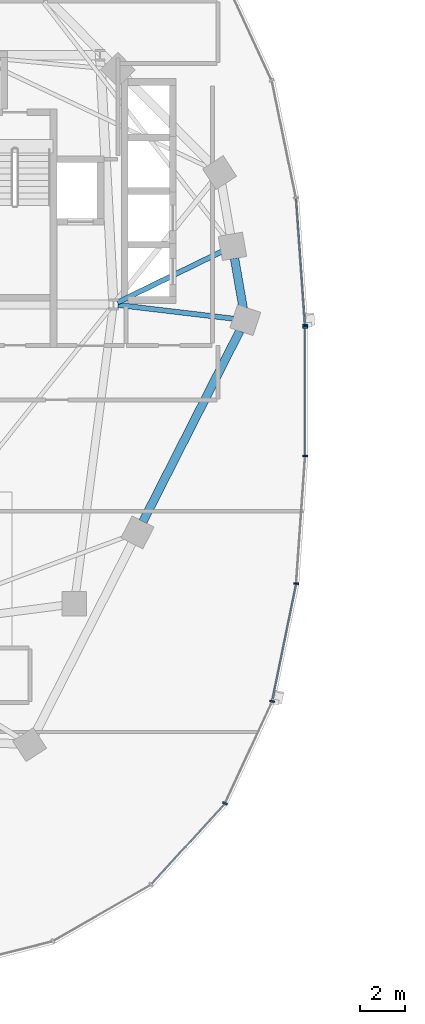
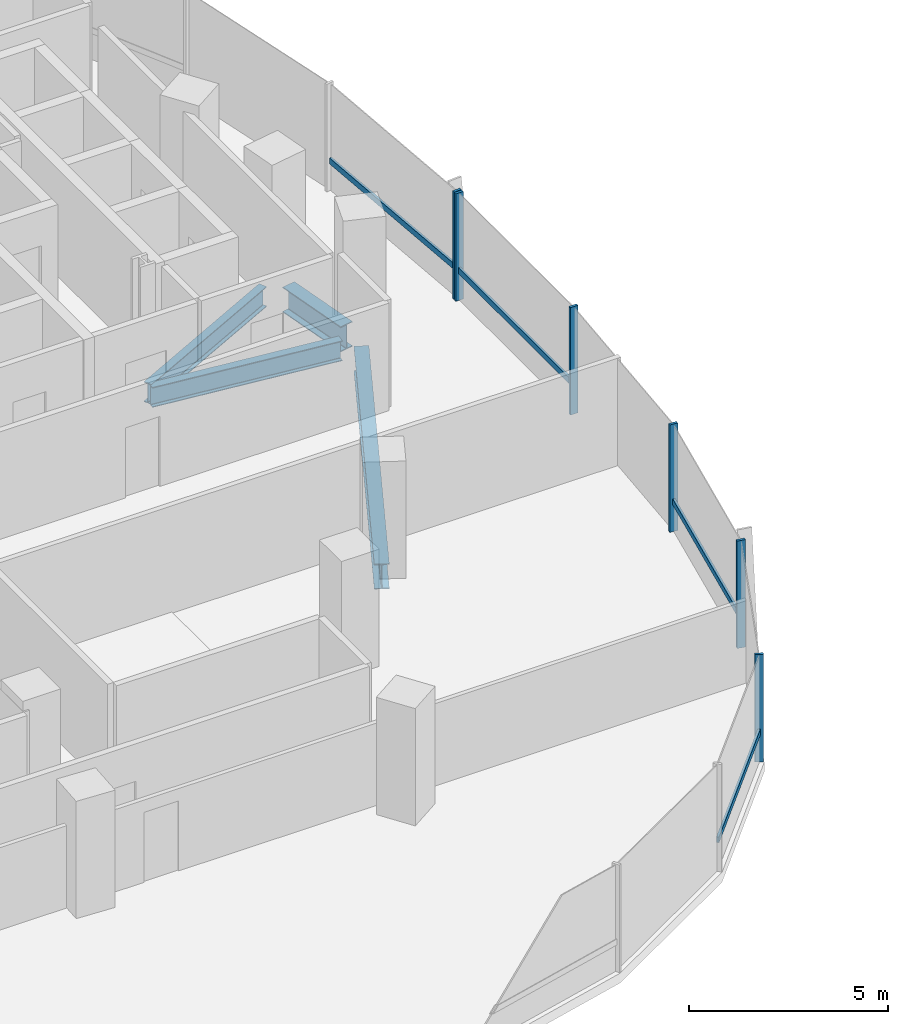
# One storey, part 3 of 21: 10 members, 4 beams, 2 elements without a shape of their own.
"""IFC4 building model written with IfcOpenShell, lengths in metres."""

import ifcopenshell
import ifcopenshell.guid

model = None  # the IFC model being written
_history = None  # IfcOwnerHistory: only IFC2X3 demands one
_inside = {}  # id of a spatial element -> (the spatial element, [elements in it])
_under = {}  # id of a project, library or spatial element -> (it, [spatial elements below it])
_declared = {}  # id of a project -> (the project, [libraries it declares])
_typed = {}  # id of a type object -> (the type object, [elements of that type])
_made_of = {}  # id of a material, layer set ... -> (it, [elements and type objects made of it])


def new_model(schema):
    """Start an empty IFC model of exactly this schema.

    Asked for "IFC4X3", IfcOpenShell would pick the latest addendum, in which some entities
    have other attributes; the version numbers below select the first issue.
    IFC2X3 requires an IfcOwnerHistory on every rooted entity: one is made here for all.
    """
    global model, _history
    if schema == "IFC4X3":
        model = ifcopenshell.file(schema_version=(4, 3, 0, 0))
    else:
        model = ifcopenshell.file(schema=schema)
    _inside.clear()
    _under.clear()
    _declared.clear()
    _typed.clear()
    _made_of.clear()
    _history = None
    if model.schema == "IFC2X3":
        org = make("IfcOrganization", Name="unknown")
        user = make(
            "IfcPersonAndOrganization",
            ThePerson=make("IfcPerson", FamilyName="unknown"),
            TheOrganization=org,
        )
        app = make(
            "IfcApplication",
            ApplicationDeveloper=org,
            Version="unknown",
            ApplicationFullName="unknown",
            ApplicationIdentifier="unknown",
        )
        _history = make(
            "IfcOwnerHistory",
            OwningUser=user,
            OwningApplication=app,
            ChangeAction="ADDED",
            CreationDate=0,
        )
    return model


def make(cls, **values):
    """One entity of the class cls with the attributes given. An attribute that is None is left unset."""
    return model.create_entity(
        cls, **{name: value for name, value in values.items() if value is not None}
    )


def rooted(cls, **values):
    """An entity with a GlobalId (a new one), such as an element, a storey or a relation."""
    return make(cls, GlobalId=ifcopenshell.guid.new(), OwnerHistory=_history, **values)


def si_unit(unit_type, name, prefix=None):
    """IfcSIUnit, for example si_unit("LENGTHUNIT", "METRE", prefix="MILLI")."""
    return make("IfcSIUnit", UnitType=unit_type, Prefix=prefix, Name=name)


def assignment(units):
    """IfcUnitAssignment: the units of a project."""
    return None if units is None else make("IfcUnitAssignment", Units=units)


def point(xyz):
    """IfcCartesianPoint."""
    return None if xyz is None else make("IfcCartesianPoint", Coordinates=xyz)


def direction(xyz):
    """IfcDirection."""
    return None if xyz is None else make("IfcDirection", DirectionRatios=xyz)


def frame(location, z_axis=None, x_axis=None):
    """IfcAxis2Placement3D, a coordinate frame: its origin and axes. An axis left out is left unset."""
    return make(
        "IfcAxis2Placement3D",
        Location=point(location),
        Axis=direction(z_axis),
        RefDirection=direction(x_axis),
    )


def frame_2d(location, x_axis=None):
    """IfcAxis2Placement2D, a coordinate frame in the plane: its origin and x axis."""
    return make(
        "IfcAxis2Placement2D", Location=point(location), RefDirection=direction(x_axis)
    )


def origin():
    """The frame at (0, 0, 0) with its axes left unset."""
    return frame((0.0, 0.0, 0.0))


def origin_2d():
    """The frame at (0, 0) in the plane with its x axis left unset."""
    return frame_2d((0.0, 0.0))


def place(relative_to, where):
    """IfcLocalPlacement: puts the frame where relative to a parent placement (None: the world)."""
    return make(
        "IfcLocalPlacement", PlacementRelTo=relative_to, RelativePlacement=where
    )


def context(
    kind, dimensions, precision=None, world=None, true_north=None, identifier=None
):
    """IfcGeometricRepresentationContext, for example the 3D "Model" context."""
    return make(
        "IfcGeometricRepresentationContext",
        ContextIdentifier=identifier,
        ContextType=kind,
        CoordinateSpaceDimension=dimensions,
        Precision=precision,
        WorldCoordinateSystem=world,
        TrueNorth=true_north,
    )


def subcontext(parent, identifier, kind, view, scale=None):
    """IfcGeometricRepresentationSubContext, for example "Body" below "Model"."""
    return make(
        "IfcGeometricRepresentationSubContext",
        ContextIdentifier=identifier,
        ContextType=kind,
        ParentContext=parent,
        TargetScale=scale,
        TargetView=view,
    )


def project(units=None, contexts=None):
    """IfcProject with its units and contexts."""
    return rooted(
        "IfcProject",
        Name="project",
        RepresentationContexts=contexts,
        UnitsInContext=assignment(units),
    )


def spatial(cls, under=None, at=None, **own):
    """A site, building, storey or space (cls), placed at a placement, below another one or the project."""
    s = rooted(cls, ObjectPlacement=at, **own)
    if under is not None:
        _under.setdefault(under.id(), (under, []))[1].append(s)
    return s


def profile(cls, at=None, kind="AREA", **sizes):
    """A parametric profile (cls). Its sizes go by their IFC names, for example OverallWidth=200.0."""
    return make(cls, ProfileType=kind, Position=at, **sizes)


def rectangle(**sizes):
    """IfcRectangleProfileDef."""
    return profile("IfcRectangleProfileDef", **sizes)


def i_section(**sizes):
    """IfcIShapeProfileDef."""
    return profile("IfcIShapeProfileDef", **sizes)


def extrude(swept, where, along, depth):
    """IfcExtrudedAreaSolid: the profile swept, set in the frame where, extruded along a direction by depth."""
    return make(
        "IfcExtrudedAreaSolid",
        SweptArea=swept,
        Position=where,
        ExtrudedDirection=direction(along),
        Depth=depth,
    )


def shape(context_of_items, identifier, shape_type, items):
    """IfcShapeRepresentation: the items that make up one representation, for example the "Body"."""
    return make(
        "IfcShapeRepresentation",
        ContextOfItems=context_of_items,
        RepresentationIdentifier=identifier,
        RepresentationType=shape_type,
        Items=items,
    )


def material(Name=None, Category=None):
    """IfcMaterial."""
    return make("IfcMaterial", Name=Name, Category=Category)


def material_profile(
    of_material, cross_section, Name=None, Category=None, Priority=None
):
    """IfcMaterialProfile: a cross section and its material."""
    return make(
        "IfcMaterialProfile",
        Name=Name,
        Material=of_material,
        Profile=cross_section,
        Priority=Priority,
        Category=Category,
    )


def profile_set(profiles, Name=None, composite=None):
    """IfcMaterialProfileSet."""
    return make(
        "IfcMaterialProfileSet",
        Name=Name,
        MaterialProfiles=profiles,
        CompositeProfile=composite,
    )


def made_of(thing, what):
    """Note that an element or type object is made of a material, layer set ...; save() writes the relation."""
    if what is not None:
        _made_of.setdefault(what.id(), (what, []))[1].append(thing)
    return thing


def type_object(cls, material=None, **own):
    """A type object (cls), such as IfcWallType, which elements share."""
    return made_of(rooted(cls, **own), material)


def element(
    cls,
    number,
    at=None,
    inside=None,
    cuts=None,
    type_object=None,
    material=None,
    context=None,
    identifier="Body",
    shape_type=None,
    held_by="IfcProductDefinitionShape",
    body=None,
    shapes=None,
    **own,
):
    """One element of the class cls, such as IfcWall. Its Tag is "e" and its number.

    at: its placement. inside: the storey or other place that contains it. cuts: it is an
    opening in that element (IfcRelVoidsElement). A single representation is given by context,
    identifier, shape_type and body (its items); several are given by shapes. held_by: the class
    of the entity that holds the representations. save() writes the other relations.
    """
    e = rooted(cls, Tag="e%d" % number, ObjectPlacement=at, **own)
    if body is not None:
        shapes = [shape(context, identifier, shape_type, body)]
    if shapes is not None:
        e.Representation = make(held_by, Representations=shapes)
    if inside is not None:
        _inside.setdefault(inside.id(), (inside, []))[1].append(e)
    if cuts is not None:
        rooted(
            "IfcRelVoidsElement", RelatingBuildingElement=cuts, RelatedOpeningElement=e
        )
    if type_object is not None:
        _typed.setdefault(type_object.id(), (type_object, []))[1].append(e)
    return made_of(e, material)


def aggregate(whole, parts):
    """IfcRelAggregates: a whole, such as a stair, and the parts it consists of."""
    return rooted("IfcRelAggregates", RelatingObject=whole, RelatedObjects=parts)


def save(model, path):
    """Write the relations noted so far, then the file.

    IfcRelAggregates (storeys below a building ...), IfcRelContainedInSpatialStructure (elements
    in a storey), IfcRelDefinesByType, IfcRelAssociatesMaterial and IfcRelDeclares: one each for
    every whole, place, type object, material and project.
    """
    for whole, parts in _under.values():
        aggregate(whole, parts)
    for where, things in _inside.values():
        rooted(
            "IfcRelContainedInSpatialStructure",
            RelatedElements=things,
            RelatingStructure=where,
        )
    for kind, things in _typed.values():
        rooted("IfcRelDefinesByType", RelatedObjects=things, RelatingType=kind)
    for what, things in _made_of.values():
        rooted("IfcRelAssociatesMaterial", RelatedObjects=things, RelatingMaterial=what)
    for by, libraries in _declared.values():
        rooted("IfcRelDeclares", RelatingContext=by, RelatedDefinitions=libraries)
    model.write(path)


model = new_model("IFC4")

# Units and contexts
model_context = context("Model", 3, precision=1e-05, world=origin(), true_north=direction((0.0, 1.0)))
body_context = subcontext(model_context, "Body", "Model", "MODEL_VIEW")
ifc_project = project(units=[si_unit("LENGTHUNIT", "METRE"), si_unit("AREAUNIT", "SQUARE_METRE"), si_unit("VOLUMEUNIT", "CUBIC_METRE"), si_unit("PLANEANGLEUNIT", "RADIAN"), si_unit("MASSUNIT", "GRAM", prefix="KILO"), si_unit("THERMODYNAMICTEMPERATUREUNIT", "KELVIN"), si_unit("POWERUNIT", "WATT")], contexts=[model_context])

# Site, building, storey
site_placement = place(None, origin())
site = spatial("IfcSite", under=ifc_project, at=site_placement, CompositionType="ELEMENT")
building_placement = place(site_placement, origin())
building = spatial("IfcBuilding", under=site, at=building_placement, Name="Cundina Bronze Exchange", CompositionType="ELEMENT")
storey_placement = place(building_placement, frame((0.0, 0.0, 114.199951171875)))
storey = spatial("IfcBuildingStorey", under=building, at=storey_placement, Name="L29", CompositionType="ELEMENT", Elevation=114.199951171875)

# Beams
ifc_material_1 = material(Name="Steel ASTM A992 Grade 50", Category="steel")
ifc_material_profile_1 = material_profile(ifc_material_1, i_section(OverallWidth=0.22998046875, OverallDepth=0.616943359375, WebThickness=0.01318359375, FlangeThickness=0.022216796875, FilletRadius=0.013916015625, at=origin_2d()), Name="W24X94", Category="steel")
ifc_profile_set_1 = profile_set([ifc_material_profile_1], Name="Steel ASTM A992 Grade 50")
beam_type_1 = type_object("IfcBeamType", Name="BM-FLR-W24B", PredefinedType="BEAM", material=ifc_profile_set_1)
beam_1_placement = place(storey_placement, frame((-21.247314453125, 3.8759765625, -0.6083984375), z_axis=(0.993035701683, -0.117813815752, 0.0), x_axis=(0.117813815752, 0.993035701683, 0.0)))
element("IfcBeam", 1, at=beam_1_placement, inside=storey, type_object=beam_type_1, Name="L29 Leg W Radial Floor Beam 00", PredefinedType="BEAM", context=body_context, shape_type="SweptSolid", body=[
    extrude(i_section(OverallWidth=0.22998046875, OverallDepth=0.616943359375, WebThickness=0.01318359375, FlangeThickness=0.022216796875, FilletRadius=0.013916015625, at=origin_2d()), origin(), (0.0, 0.0, 1.0), 5.19921875),
])
beam_2_placement = place(storey_placement, frame((-21.2666015625, 3.989501953125, -0.6083984375), z_axis=(0.898607246385, 0.438753936443, 0.0), x_axis=(-0.438753936443, 0.898607246385, 0.0)))
element("IfcBeam", 2, at=beam_2_placement, inside=storey, type_object=beam_type_1, Name="L29 Leg W Radial Floor Beam 01", PredefinedType="BEAM", context=body_context, shape_type="SweptSolid", body=[
    extrude(i_section(OverallWidth=0.22998046875, OverallDepth=0.616943359375, WebThickness=0.01318359375, FlangeThickness=0.022216796875, FilletRadius=0.013916015625, at=origin_2d()), origin(), (0.0, 0.0, 1.0), 5.183837890625),
])
ifc_material_profile_2 = material_profile(ifc_material_1, i_section(OverallWidth=0.381103515625, OverallDepth=0.77294921875, WebThickness=0.0166015625, FlangeThickness=0.027099609375, FilletRadius=0.01904296875, at=origin_2d()), Name="W30X173", Category="steel")
ifc_profile_set_2 = profile_set([ifc_material_profile_2], Name="Steel ASTM A992 Grade 50")
beam_type_2 = type_object("IfcBeamType", Name="BM-RING-W30", PredefinedType="USERDEFINED", material=ifc_profile_set_2)
beam_3_placement = place(storey_placement, frame((-15.642333984375, 3.72998046875, -0.6865234375), z_axis=(-0.171690078326, 0.985151012284, 0.0), x_axis=(-0.985151012284, -0.171690078326, 0.0)))
element("IfcBeam", 3, at=beam_3_placement, inside=storey, type_object=beam_type_2, Name="L29 W Perimeter Ring Girder 00", ObjectType="GIRDER", PredefinedType="USERDEFINED", context=body_context, shape_type="SweptSolid", body=[
    extrude(i_section(OverallWidth=0.381103515625, OverallDepth=0.77294921875, WebThickness=0.0166015625, FlangeThickness=0.027099609375, FilletRadius=0.01904296875, at=origin_2d()), origin(), (0.0, 0.0, 1.0), 2.273681640625),
])
beam_4_placement = place(storey_placement, frame((-20.13134765625, -5.8203125, -0.6865234375), z_axis=(0.452832332744, 0.891595692241, 0.0), x_axis=(-0.891595692241, 0.452832332744, 0.0)))
element("IfcBeam", 4, at=beam_4_placement, inside=storey, type_object=beam_type_2, Name="L29 W Perimeter Ring Girder 13", ObjectType="GIRDER", PredefinedType="USERDEFINED", context=body_context, shape_type="SweptSolid", body=[
    extrude(i_section(OverallWidth=0.381103515625, OverallDepth=0.77294921875, WebThickness=0.0166015625, FlangeThickness=0.027099609375, FilletRadius=0.01904296875, at=origin_2d()), origin(), (0.0, 0.0, 1.0), 9.578857421875),
])

# Curtain wall, member
ifc_material_2 = material(Name="Anodised Bronze Aluminium 6063-T6", Category="aluminium")
curtain_wall_type = type_object("IfcCurtainWallType", Name="CWS-TRD-MID", PredefinedType="NOTDEFINED", material=ifc_material_2)
curtain_wall_1_placement = place(storey_placement, origin())
curtain_wall_1 = element("IfcCurtainWall", 5, at=curtain_wall_1_placement, inside=storey, type_object=curtain_wall_type, Name="L29 CW-03 Curtain Wall Run CWR-L29-W1", PredefinedType="NOTDEFINED")
ifc_material_profile_3 = material_profile(ifc_material_2, rectangle(XDim=0.074951171875, YDim=0.219970703125, at=origin_2d()), Name="AL75X220", Category="aluminium")
ifc_profile_set_3 = profile_set([ifc_material_profile_3], Name="Anodised Bronze Aluminium 6063-T6")
member_type_1 = type_object("IfcMemberType", Name="CWM-MUL-220", PredefinedType="MULLION", material=ifc_profile_set_3)
member_1_placement = place(storey_placement, frame((-12.87548828125, 2.976318359375, 0.0), z_axis=(0.0, 0.0, 1.0), x_axis=(-0.070278787473, 0.997527389113, 0.0)))
member_1 = element("IfcMember", 6, at=member_1_placement, type_object=member_type_1, Name="CW-03 Mullion 1", PredefinedType="MULLION", context=body_context, shape_type="SweptSolid", body=[
    extrude(rectangle(XDim=0.074951171875, YDim=0.219970703125, at=origin_2d()), origin(), (0.0, 0.0, 1.0), 3.300048828125),
])

# Curtain wall, members
curtain_wall_2_placement = place(storey_placement, origin())
curtain_wall_2 = element("IfcCurtainWall", 7, at=curtain_wall_2_placement, inside=storey, type_object=curtain_wall_type, Name="L29 CW-03 Curtain Wall Run CWR-L29-W4", PredefinedType="NOTDEFINED")
member_2_placement = place(storey_placement, frame((-16.455810546875, -18.423583984375, 0.0), z_axis=(0.0, 0.0, 1.0), x_axis=(0.42087749791, 0.907117485088, 0.0)))
member_2 = element("IfcMember", 8, at=member_2_placement, type_object=member_type_1, Name="CW-03 Mullion 4", PredefinedType="MULLION", context=body_context, shape_type="SweptSolid", body=[
    extrude(rectangle(XDim=0.074951171875, YDim=0.219970703125, at=origin_2d()), origin(), (0.0, 0.0, 1.0), 3.300048828125),
])
member_3_placement = place(storey_placement, frame((-14.348876953125, -13.861328125, 0.0), z_axis=(0.0, 0.0, 1.0), x_axis=(0.201419845156, 0.979505000486, 0.0)))
member_3 = element("IfcMember", 9, at=member_3_placement, type_object=member_type_1, Name="CW-03 Mullion 5", PredefinedType="MULLION", context=body_context, shape_type="SweptSolid", body=[
    extrude(rectangle(XDim=0.074951171875, YDim=0.219970703125, at=origin_2d()), origin(), (0.0, 0.0, 1.0), 3.300048828125),
])
member_4_placement = place(storey_placement, frame((-13.27099609375, -8.591552734375, 0.0), z_axis=(0.0, 0.0, 1.0), x_axis=(0.070278787473, 0.997527389113, 0.0)))
member_4 = element("IfcMember", 10, at=member_4_placement, type_object=member_type_1, Name="CW-03 Mullion 6", PredefinedType="MULLION", context=body_context, shape_type="SweptSolid", body=[
    extrude(rectangle(XDim=0.074951171875, YDim=0.219970703125, at=origin_2d()), origin(), (0.0, 0.0, 1.0), 3.300048828125),
])
member_5_placement = place(storey_placement, frame((-12.8720703125, -2.880615234375, 0.0), z_axis=(0.0, 0.0, 1.0), x_axis=(0.0, 1.0, 0.0)))
member_5 = element("IfcMember", 11, at=member_5_placement, type_object=member_type_1, Name="CW-03 Mullion 7", PredefinedType="MULLION", context=body_context, shape_type="SweptSolid", body=[
    extrude(rectangle(XDim=0.074951171875, YDim=0.219970703125, at=origin_2d()), origin(), (0.0, 0.0, 1.0), 3.300048828125),
])
member_6_placement = place(storey_placement, frame((-12.8720703125, 2.880615234375, 0.0), z_axis=(0.0, 0.0, 1.0), x_axis=(0.0, 1.0, 0.0)))
member_6 = element("IfcMember", 12, at=member_6_placement, type_object=member_type_1, Name="CW-03 End Mullion", PredefinedType="MULLION", context=body_context, shape_type="SweptSolid", body=[
    extrude(rectangle(XDim=0.074951171875, YDim=0.219970703125, at=origin_2d()), origin(), (0.0, 0.0, 1.0), 3.300048828125),
])

# Member
ifc_material_profile_4 = material_profile(ifc_material_2, rectangle(XDim=0.070068359375, YDim=0.179931640625, at=origin_2d()), Name="AL70X180", Category="aluminium")
ifc_profile_set_4 = profile_set([ifc_material_profile_4], Name="Anodised Bronze Aluminium 6063-T6")
member_type_2 = type_object("IfcMemberType", Name="CWM-TRN-180", PredefinedType="USERDEFINED", material=ifc_profile_set_4)
member_7_placement = place(storey_placement, frame((-12.87841796875, 3.017333984375, 0.920166015625), z_axis=(-0.070260714471, 0.997528662246, 0.0), x_axis=(-0.997528662246, -0.070260714471, 0.0)))
member_7 = element("IfcMember", 13, at=member_7_placement, type_object=member_type_2, Name="CW-03 Spandrel Transom 1", ObjectType="TRANSOM", PredefinedType="USERDEFINED", context=body_context, shape_type="SweptSolid", body=[
    extrude(rectangle(XDim=0.070068359375, YDim=0.179931640625, at=origin_2d()), origin(), (0.0, 0.0, 1.0), 5.629150390625),
])

aggregate(curtain_wall_1, [member_1, member_7])

member_8_placement = place(storey_placement, frame((-19.73291015625, -22.027099609375, 0.920166015625), z_axis=(0.674302794847, 0.738454968743, 0.0), x_axis=(-0.738454968743, 0.674302794847, 0.0)))
member_8 = element("IfcMember", 14, at=member_8_placement, type_object=member_type_2, Name="CW-03 Spandrel Transom 3", ObjectType="TRANSOM", PredefinedType="USERDEFINED", context=body_context, shape_type="SweptSolid", body=[
    extrude(rectangle(XDim=0.070068359375, YDim=0.179931640625, at=origin_2d()), origin(), (0.0, 0.0, 1.0), 4.848388671875),
])

member_9_placement = place(storey_placement, frame((-14.340576171875, -13.821044921875, 0.920166015625), z_axis=(0.201427712708, 0.979503382615, 0.0), x_axis=(-0.979503382615, 0.201427712708, 0.0)))
member_9 = element("IfcMember", 15, at=member_9_placement, type_object=member_type_2, Name="CW-03 Spandrel Transom 5", ObjectType="TRANSOM", PredefinedType="USERDEFINED", context=body_context, shape_type="SweptSolid", body=[
    extrude(rectangle(XDim=0.070068359375, YDim=0.179931640625, at=origin_2d()), origin(), (0.0, 0.0, 1.0), 5.291748046875),
])

member_10_placement = place(storey_placement, frame((-12.8720703125, -2.839111328125, 0.920166015625), z_axis=(0.0, 1.0, 0.0), x_axis=(-1.0, 0.0, 0.0)))
member_10 = element("IfcMember", 16, at=member_10_placement, type_object=member_type_2, Name="CW-03 Spandrel Transom 7", ObjectType="TRANSOM", PredefinedType="USERDEFINED", context=body_context, shape_type="SweptSolid", body=[
    extrude(rectangle(XDim=0.070068359375, YDim=0.179931640625, at=origin_2d()), origin(), (0.0, 0.0, 1.0), 5.67822265625),
])

aggregate(curtain_wall_2, [member_8, member_2, member_3, member_9, member_4, member_5, member_6, member_10])

save(model, "model.ifc")
